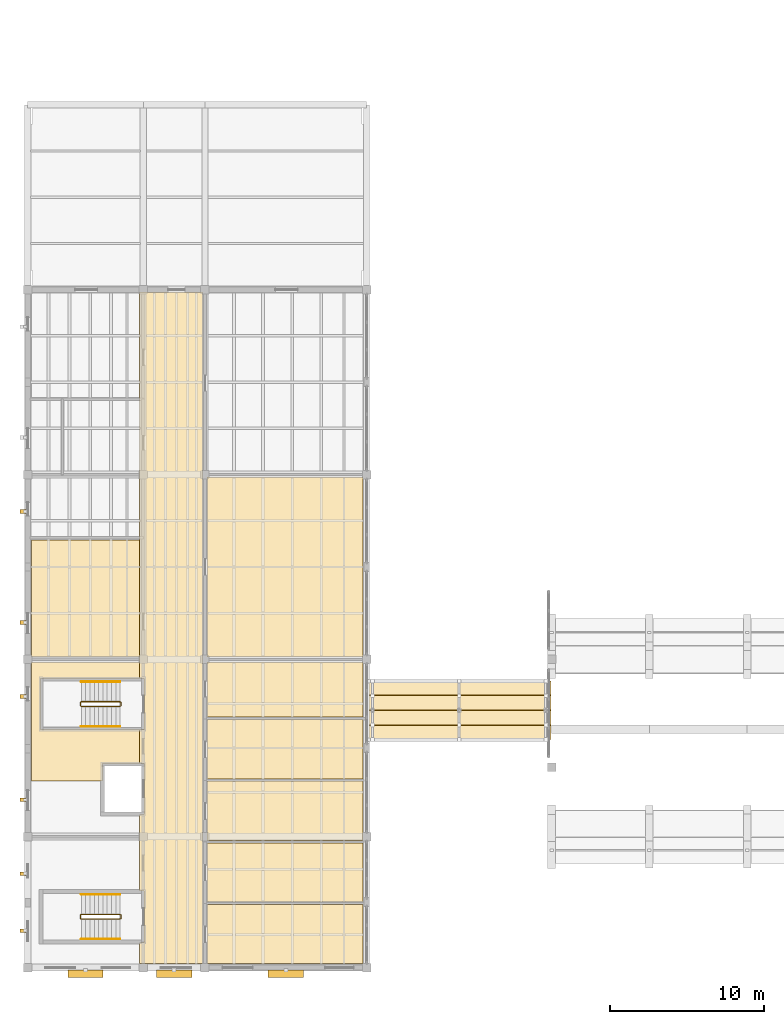
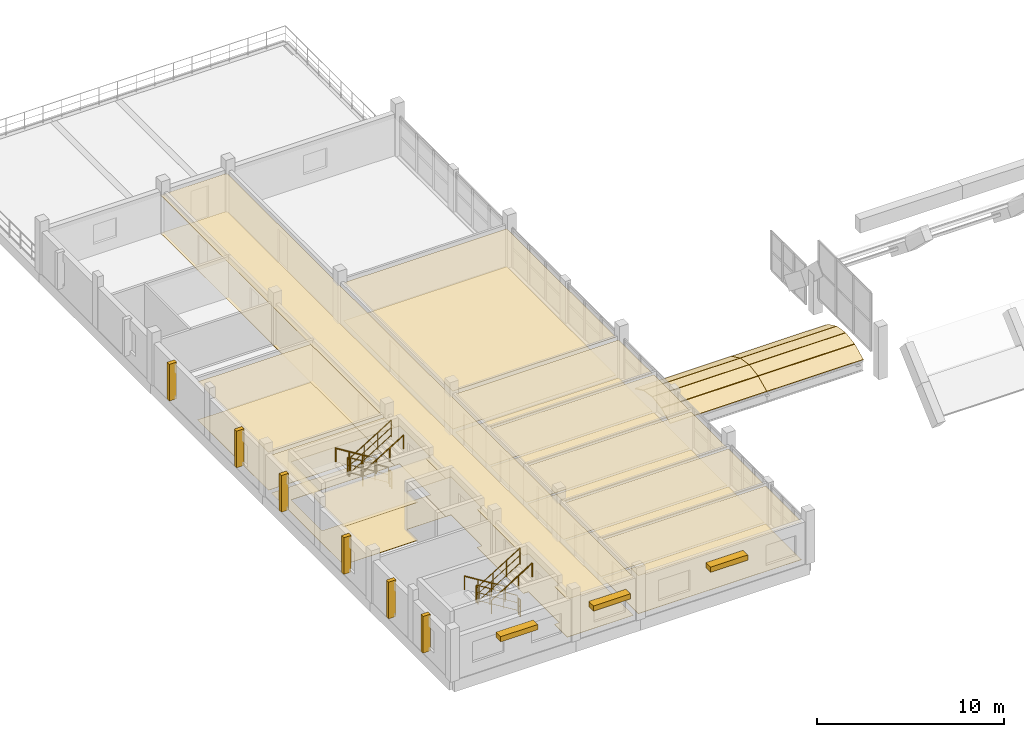
# One storey, part 43 of 48: 26 coverings, 12 railings, 9 shading devices.
"""IFC4 building model written with IfcOpenShell, lengths in metres."""

from ifc_helpers import new_model, si_unit, direction, frame, origin, origin_2d, place, context, subcontext, project, spatial, polyline, rectangle, circle, outline, extrude, material, layer, layer_set, type_object, element, save


model = new_model("IFC4")

# Units and contexts
model_context = context("Model", 3, precision=1e-05, world=origin(), true_north=direction((0.0, 1.0)))
body_context = subcontext(model_context, "Body", "Model", "MODEL_VIEW")
ifc_project = project(units=[si_unit("LENGTHUNIT", "METRE"), si_unit("AREAUNIT", "SQUARE_METRE"), si_unit("VOLUMEUNIT", "CUBIC_METRE"), si_unit("PLANEANGLEUNIT", "RADIAN"), si_unit("MASSUNIT", "GRAM", prefix="KILO")], contexts=[model_context])

# Site, building, storey
site_placement = place(None, origin())
site = spatial("IfcSite", under=ifc_project, at=site_placement, CompositionType="ELEMENT")
building_placement = place(site_placement, origin())
building = spatial("IfcBuilding", under=site, at=building_placement, Name="Trellovar Central Fire Station", CompositionType="ELEMENT")
storey_placement = place(building_placement, frame((0.0, 0.0, 9.300048828125)))
storey = spatial("IfcBuildingStorey", under=building, at=storey_placement, Name="L03", CompositionType="ELEMENT", Elevation=9.300048828125)

# Coverings
ifc_material_1 = material(Name="Perforated acoustic mineral fiber ceiling tile", Category="mineral")
ifc_layer_1 = layer(ifc_material_1, 0.02490234375)
ifc_layer_set_1 = layer_set([ifc_layer_1], Name="Perforated acoustic mineral fiber ceiling tile")
covering_type_1 = type_object("IfcCoveringType", Name="COV-CLG1", PredefinedType="CEILING", material=ifc_layer_set_1)
covering_1_placement = place(storey_placement, frame((0.0, 0.0, 2.47998046875)))
element("IfcCovering", 1, at=covering_1_placement, inside=storey, type_object=covering_type_1, Name="Dormitory Acoustic Corridor suspended ceiling", PredefinedType="CEILING", context=body_context, shape_type="SweptSolid", body=[
    extrude(outline(polyline([(8.56005859375, 18.93994140625), (8.56005859375, 22.260009765625), (8.25, 22.260009765625), (8.25, 24.43994140625), (8.56005859375, 24.43994140625), (8.56005859375, 27.760009765625), (8.25, 27.760009765625), (8.25, 52.85009765625), (12.35009765625, 52.85009765625), (12.35009765625, 9.25), (8.25, 9.25), (8.25, 10.639892578125), (8.56005859375, 10.639892578125), (8.56005859375, 13.9599609375), (8.25, 13.9599609375), (8.25, 18.93994140625), (8.56005859375, 18.93994140625)])), origin(), (0.0, 0.0, 1.0), 0.02490234375),
])
covering_2_placement = place(storey_placement, frame((0.0, 0.0, 2.47998046875)))
element("IfcCovering", 2, at=covering_2_placement, inside=storey, type_object=covering_type_1, Name="Firefighter Bunk Quarters Alpha suspended ceiling", PredefinedType="CEILING", context=body_context, shape_type="SweptSolid", body=[
    extrude(outline(polyline([(22.75, 13.10009765625), (22.75, 9.25), (12.64990234375, 9.25), (12.64990234375, 13.10009765625), (22.75, 13.10009765625)])), origin(), (0.0, 0.0, 1.0), 0.02490234375),
])
covering_3_placement = place(storey_placement, frame((0.0, 0.0, 2.47998046875)))
element("IfcCovering", 3, at=covering_3_placement, inside=storey, type_object=covering_type_1, Name="Firefighter Bunk Quarters Bravo suspended ceiling", PredefinedType="CEILING", context=body_context, shape_type="SweptSolid", body=[
    extrude(outline(polyline([(22.75, 17.10009765625), (22.75, 13.25), (12.64990234375, 13.25), (12.64990234375, 17.10009765625), (22.75, 17.10009765625)])), origin(), (0.0, 0.0, 1.0), 0.02490234375),
])
covering_4_placement = place(storey_placement, frame((0.0, 0.0, 2.47998046875)))
element("IfcCovering", 4, at=covering_4_placement, inside=storey, type_object=covering_type_1, Name="Firefighter Bunk Quarters Charlie suspended ceiling", PredefinedType="CEILING", context=body_context, shape_type="SweptSolid", body=[
    extrude(outline(polyline([(22.75, 21.10009765625), (22.75, 17.25), (12.64990234375, 17.25), (12.64990234375, 21.10009765625), (22.75, 21.10009765625)])), origin(), (0.0, 0.0, 1.0), 0.02490234375),
])
covering_5_placement = place(storey_placement, frame((0.0, 0.0, 2.47998046875)))
element("IfcCovering", 5, at=covering_5_placement, inside=storey, type_object=covering_type_1, Name="Firefighter Bunk Quarters Delta suspended ceiling", PredefinedType="CEILING", context=body_context, shape_type="SweptSolid", body=[
    extrude(outline(polyline([(22.75, 25.10009765625), (22.75, 21.25), (12.64990234375, 21.25), (12.64990234375, 25.10009765625), (22.75, 25.10009765625)])), origin(), (0.0, 0.0, 1.0), 0.02490234375),
])
covering_6_placement = place(storey_placement, frame((0.0, 0.0, 2.47998046875)))
element("IfcCovering", 6, at=covering_6_placement, inside=storey, type_object=covering_type_1, Name="Firefighter Bunk Quarters Echo suspended ceiling", PredefinedType="CEILING", context=body_context, shape_type="SweptSolid", body=[
    extrude(outline(polyline([(22.75, 28.85009765625), (22.75, 25.25), (12.64990234375, 25.25), (12.64990234375, 28.85009765625), (22.75, 28.85009765625)])), origin(), (0.0, 0.0, 1.0), 0.02490234375),
])
covering_7_placement = place(storey_placement, frame((0.0, 0.0, 2.47998046875)))
element("IfcCovering", 7, at=covering_7_placement, inside=storey, type_object=covering_type_1, Name="Battalion Chief Sleeping Quarters suspended ceiling", PredefinedType="CEILING", context=body_context, shape_type="SweptSolid", body=[
    extrude(outline(polyline([(8.25, 24.43994140625), (8.25, 22.260009765625), (5.840087890625, 22.260009765625), (5.840087890625, 21.10009765625), (1.25, 21.10009765625), (1.25, 28.85009765625), (8.25, 28.85009765625), (8.25, 27.760009765625), (1.840087890625, 27.760009765625), (1.840087890625, 24.43994140625), (8.25, 24.43994140625)])), origin(), (0.0, 0.0, 1.0), 0.02490234375),
])
covering_8_placement = place(storey_placement, frame((0.0, 0.0, 2.47998046875)))
element("IfcCovering", 8, at=covering_8_placement, inside=storey, type_object=covering_type_1, Name="Captain Sleeping Quarters suspended ceiling", PredefinedType="CEILING", context=body_context, shape_type="SweptSolid", body=[
    extrude(outline(polyline([(8.25, 36.75), (8.25, 29.14990234375), (1.25, 29.14990234375), (1.25, 36.75), (8.25, 36.75)])), origin(), (0.0, 0.0, 1.0), 0.02490234375),
])
covering_9_placement = place(storey_placement, frame((0.0, 0.0, 2.47998046875)))
element("IfcCovering", 9, at=covering_9_placement, inside=storey, type_object=covering_type_1, Name="Paramedic Crew Bunk Quarters suspended ceiling", PredefinedType="CEILING", context=body_context, shape_type="SweptSolid", body=[
    extrude(outline(polyline([(22.75, 40.85009765625), (22.75, 29.14990234375), (12.64990234375, 29.14990234375), (12.64990234375, 40.85009765625), (22.75, 40.85009765625)])), origin(), (0.0, 0.0, 1.0), 0.02490234375),
])
ifc_material_2 = material(Name="Vitrified Catalan ceramic floor tile", Category="masonry")
ifc_layer_2 = layer(ifc_material_2, 0.01806640625)
ifc_layer_set_2 = layer_set([ifc_layer_2], Name="Vitrified Catalan ceramic floor tile")
covering_type_2 = type_object("IfcCoveringType", Name="COV-FLR2", PredefinedType="FLOORING", material=ifc_layer_set_2)
covering_10_placement = place(storey_placement, origin())
element("IfcCovering", 10, at=covering_10_placement, inside=storey, type_object=covering_type_2, Name="Dormitory Acoustic Corridor floor finish", PredefinedType="FLOORING", context=body_context, shape_type="SweptSolid", body=[
    extrude(outline(polyline([(8.56005859375, 18.93994140625), (8.56005859375, 22.260009765625), (8.25, 22.260009765625), (8.25, 24.43994140625), (8.56005859375, 24.43994140625), (8.56005859375, 27.760009765625), (8.25, 27.760009765625), (8.25, 52.85009765625), (12.35009765625, 52.85009765625), (12.35009765625, 9.25), (8.25, 9.25), (8.25, 10.639892578125), (8.56005859375, 10.639892578125), (8.56005859375, 13.9599609375), (8.25, 13.9599609375), (8.25, 18.93994140625), (8.56005859375, 18.93994140625)])), origin(), (0.0, 0.0, 1.0), 0.01806640625),
])
covering_11_placement = place(storey_placement, origin())
element("IfcCovering", 11, at=covering_11_placement, inside=storey, type_object=covering_type_2, Name="Firefighter Bunk Quarters Alpha floor finish", PredefinedType="FLOORING", context=body_context, shape_type="SweptSolid", body=[
    extrude(outline(polyline([(22.75, 13.10009765625), (22.75, 9.25), (12.64990234375, 9.25), (12.64990234375, 13.10009765625), (22.75, 13.10009765625)])), origin(), (0.0, 0.0, 1.0), 0.01806640625),
])
covering_12_placement = place(storey_placement, origin())
element("IfcCovering", 12, at=covering_12_placement, inside=storey, type_object=covering_type_2, Name="Firefighter Bunk Quarters Bravo floor finish", PredefinedType="FLOORING", context=body_context, shape_type="SweptSolid", body=[
    extrude(outline(polyline([(22.75, 17.10009765625), (22.75, 13.25), (12.64990234375, 13.25), (12.64990234375, 17.10009765625), (22.75, 17.10009765625)])), origin(), (0.0, 0.0, 1.0), 0.01806640625),
])
covering_13_placement = place(storey_placement, origin())
element("IfcCovering", 13, at=covering_13_placement, inside=storey, type_object=covering_type_2, Name="Firefighter Bunk Quarters Charlie floor finish", PredefinedType="FLOORING", context=body_context, shape_type="SweptSolid", body=[
    extrude(outline(polyline([(22.75, 21.10009765625), (22.75, 17.25), (12.64990234375, 17.25), (12.64990234375, 21.10009765625), (22.75, 21.10009765625)])), origin(), (0.0, 0.0, 1.0), 0.01806640625),
])
covering_14_placement = place(storey_placement, origin())
element("IfcCovering", 14, at=covering_14_placement, inside=storey, type_object=covering_type_2, Name="Firefighter Bunk Quarters Delta floor finish", PredefinedType="FLOORING", context=body_context, shape_type="SweptSolid", body=[
    extrude(outline(polyline([(22.75, 25.10009765625), (22.75, 21.25), (12.64990234375, 21.25), (12.64990234375, 25.10009765625), (22.75, 25.10009765625)])), origin(), (0.0, 0.0, 1.0), 0.01806640625),
])
covering_15_placement = place(storey_placement, origin())
element("IfcCovering", 15, at=covering_15_placement, inside=storey, type_object=covering_type_2, Name="Firefighter Bunk Quarters Echo floor finish", PredefinedType="FLOORING", context=body_context, shape_type="SweptSolid", body=[
    extrude(outline(polyline([(22.75, 28.85009765625), (22.75, 25.25), (12.64990234375, 25.25), (12.64990234375, 28.85009765625), (22.75, 28.85009765625)])), origin(), (0.0, 0.0, 1.0), 0.01806640625),
])
covering_16_placement = place(storey_placement, origin())
element("IfcCovering", 16, at=covering_16_placement, inside=storey, type_object=covering_type_2, Name="Battalion Chief Sleeping Quarters floor finish", PredefinedType="FLOORING", context=body_context, shape_type="SweptSolid", body=[
    extrude(outline(polyline([(8.25, 24.43994140625), (8.25, 22.260009765625), (5.840087890625, 22.260009765625), (5.840087890625, 21.10009765625), (1.25, 21.10009765625), (1.25, 28.85009765625), (8.25, 28.85009765625), (8.25, 27.760009765625), (1.840087890625, 27.760009765625), (1.840087890625, 24.43994140625), (8.25, 24.43994140625)])), origin(), (0.0, 0.0, 1.0), 0.01806640625),
])
covering_17_placement = place(storey_placement, origin())
element("IfcCovering", 17, at=covering_17_placement, inside=storey, type_object=covering_type_2, Name="Captain Sleeping Quarters floor finish", PredefinedType="FLOORING", context=body_context, shape_type="SweptSolid", body=[
    extrude(outline(polyline([(8.25, 36.75), (8.25, 29.14990234375), (1.25, 29.14990234375), (1.25, 36.75), (8.25, 36.75)])), origin(), (0.0, 0.0, 1.0), 0.01806640625),
])
covering_18_placement = place(storey_placement, origin())
element("IfcCovering", 18, at=covering_18_placement, inside=storey, type_object=covering_type_2, Name="Paramedic Crew Bunk Quarters floor finish", PredefinedType="FLOORING", context=body_context, shape_type="SweptSolid", body=[
    extrude(outline(polyline([(22.75, 40.85009765625), (22.75, 29.14990234375), (12.64990234375, 29.14990234375), (12.64990234375, 40.85009765625), (22.75, 40.85009765625)])), origin(), (0.0, 0.0, 1.0), 0.01806640625),
])
ifc_material_3 = material(Name="Glazed ceramic trencadis roofing", Category="masonry")
ifc_layer_3 = layer(ifc_material_3, 0.06005859375)
ifc_layer_set_3 = layer_set([ifc_layer_3], Name="Glazed ceramic trencadis roofing")
covering_type_3 = type_object("IfcCoveringType", Name="COV-RF1", PredefinedType="ROOFING", material=ifc_layer_set_3)
covering_19_placement = place(storey_placement, frame((23.02001953125, 23.802001953125, 0.0107421875), z_axis=(0.0, -0.428127561928, 0.903718313811), x_axis=(1.0, 0.0, 0.0)))
element("IfcCovering", 19, at=covering_19_placement, inside=storey, type_object=covering_type_3, Name="Cloister skybridge trencadis vault covering 1-1", PredefinedType="ROOFING", context=body_context, shape_type="SweptSolid", body=[
    extrude(outline(polyline([(0.0, 0.0), (5.97998046875, 0.0), (5.97998046875, 1.0184701827810725), (0.0, 1.0184701827810725), (0.0, 0.0)])), origin(), (0.0, 0.0, -1.0), 0.06005859375),
])
covering_20_placement = place(storey_placement, frame((23.02001953125, 24.751953125, 0.460205078125), z_axis=(0.0, -0.156002231394, 0.987756702736), x_axis=(1.0, 0.0, 0.0)))
element("IfcCovering", 20, at=covering_20_placement, inside=storey, type_object=covering_type_3, Name="Cloister skybridge trencadis vault covering 1-2", PredefinedType="ROOFING", context=body_context, shape_type="SweptSolid", body=[
    extrude(outline(polyline([(0.0, 0.0), (5.97998046875, 0.0), (5.97998046875, 0.9483788624568312), (0.0, 0.9483788624568312), (0.0, 0.0)])), origin(), (0.0, 0.0, -1.0), 0.06005859375),
])
covering_21_placement = place(storey_placement, frame((23.02001953125, 25.71142578125, 0.608154296875), z_axis=(0.0, 0.156041909236, 0.987750435364), x_axis=(1.0, 0.0, 0.0)))
element("IfcCovering", 21, at=covering_21_placement, inside=storey, type_object=covering_type_3, Name="Cloister skybridge trencadis vault covering 1-3", PredefinedType="ROOFING", context=body_context, shape_type="SweptSolid", body=[
    extrude(outline(polyline([(0.0, 0.0), (5.97998046875, 0.0), (5.97998046875, 0.9481377116830401), (0.0, 0.9481377116830401), (0.0, 0.0)])), origin(), (0.0, 0.0, -1.0), 0.06005859375),
])
covering_22_placement = place(storey_placement, frame((23.02001953125, 26.677734375, 0.44677734375), z_axis=(0.0, 0.428220326369, 0.90367436175), x_axis=(1.0, 0.0, 0.0)))
element("IfcCovering", 22, at=covering_22_placement, inside=storey, type_object=covering_type_3, Name="Cloister skybridge trencadis vault covering 1-4", PredefinedType="ROOFING", context=body_context, shape_type="SweptSolid", body=[
    extrude(outline(polyline([(0.0, 0.0), (5.97998046875, 0.0), (5.97998046875, 1.0182495537917755), (0.0, 1.0182495537917755), (0.0, 0.0)])), origin(), (0.0, 0.0, -1.0), 0.06005859375),
])
covering_23_placement = place(storey_placement, frame((29.0, 23.802001953125, 0.0107421875), z_axis=(0.0, -0.428127561928, 0.903718313811), x_axis=(1.0, 0.0, 0.0)))
element("IfcCovering", 23, at=covering_23_placement, inside=storey, type_object=covering_type_3, Name="Cloister skybridge trencadis vault covering 2-1", PredefinedType="ROOFING", context=body_context, shape_type="SweptSolid", body=[
    extrude(outline(polyline([(0.0, 0.0), (5.97998046875, 0.0), (5.97998046875, 1.0184701827810725), (0.0, 1.0184701827810725), (0.0, 0.0)])), origin(), (0.0, 0.0, -1.0), 0.06005859375),
])
covering_24_placement = place(storey_placement, frame((29.0, 24.751953125, 0.460205078125), z_axis=(0.0, -0.156002231394, 0.987756702736), x_axis=(1.0, 0.0, 0.0)))
element("IfcCovering", 24, at=covering_24_placement, inside=storey, type_object=covering_type_3, Name="Cloister skybridge trencadis vault covering 2-2", PredefinedType="ROOFING", context=body_context, shape_type="SweptSolid", body=[
    extrude(outline(polyline([(0.0, 0.0), (5.97998046875, 0.0), (5.97998046875, 0.9483788624568312), (0.0, 0.9483788624568312), (0.0, 0.0)])), origin(), (0.0, 0.0, -1.0), 0.06005859375),
])
covering_25_placement = place(storey_placement, frame((29.0, 25.71142578125, 0.608154296875), z_axis=(0.0, 0.156041909236, 0.987750435364), x_axis=(1.0, 0.0, 0.0)))
element("IfcCovering", 25, at=covering_25_placement, inside=storey, type_object=covering_type_3, Name="Cloister skybridge trencadis vault covering 2-3", PredefinedType="ROOFING", context=body_context, shape_type="SweptSolid", body=[
    extrude(outline(polyline([(0.0, 0.0), (5.97998046875, 0.0), (5.97998046875, 0.9481377116830401), (0.0, 0.9481377116830401), (0.0, 0.0)])), origin(), (0.0, 0.0, -1.0), 0.06005859375),
])
covering_26_placement = place(storey_placement, frame((29.0, 26.677734375, 0.44677734375), z_axis=(0.0, 0.428220326369, 0.90367436175), x_axis=(1.0, 0.0, 0.0)))
element("IfcCovering", 26, at=covering_26_placement, inside=storey, type_object=covering_type_3, Name="Cloister skybridge trencadis vault covering 2-4", PredefinedType="ROOFING", context=body_context, shape_type="SweptSolid", body=[
    extrude(outline(polyline([(0.0, 0.0), (5.97998046875, 0.0), (5.97998046875, 1.0182495537917755), (0.0, 1.0182495537917755), (0.0, 0.0)])), origin(), (0.0, 0.0, -1.0), 0.06005859375),
])

# Railings
ifc_material_4 = material(Name="Patina bronze wrought metalwork", Category="metal")
ifc_layer_4 = layer(ifc_material_4, 0.048095703125)
ifc_layer_set_4 = layer_set([ifc_layer_4], Name="Patina bronze wrought metalwork")
railing_type_1 = type_object("IfcRailingType", Name="RL-STAIR", PredefinedType="HANDRAIL", material=ifc_layer_set_4)
railing_1_placement = place(storey_placement, frame((7.0, 13.75, 0.17236328125)))
element("IfcRailing", 27, at=railing_1_placement, inside=storey, type_object=railing_type_1, Name="L03 ST-03 stair handrail 1", PredefinedType="HANDRAIL", context=body_context, shape_type="SweptSolid", body=[
    extrude(circle(Radius=0.02392578125, at=origin_2d()), frame((0.0, 0.0, 0.8759765625), z_axis=(-0.851400495292, 0.0, 0.524516154772), x_axis=(0.0, -1.0, 0.0)), (0.0, 0.0, 1.0), 2.9599609375),
    extrude(circle(Radius=0.02099609375, at=origin_2d()), origin(), (0.0, 0.0, 1.0), 0.851806640625),
    extrude(circle(Radius=0.02099609375, at=origin_2d()), frame((-0.840087890625, 0.0, 0.517578125)), (0.0, 0.0, 1.0), 0.851806640625),
    extrude(circle(Radius=0.02099609375, at=origin_2d()), frame((-1.679931640625, 0.0, 1.034912109375)), (0.0, 0.0, 1.0), 0.851806640625),
    extrude(circle(Radius=0.02099609375, at=origin_2d()), frame((-2.52001953125, 0.0, 1.552490234375)), (0.0, 0.0, 1.0), 0.851806640625),
])
railing_2_placement = place(storey_placement, frame((4.47998046875, 10.85009765625, 1.8974609375)))
element("IfcRailing", 28, at=railing_2_placement, inside=storey, type_object=railing_type_1, Name="L03 ST-03 stair handrail 2", PredefinedType="HANDRAIL", context=body_context, shape_type="SweptSolid", body=[
    extrude(circle(Radius=0.02392578125, at=origin_2d()), frame((0.0, 0.0, 0.8759765625), z_axis=(0.851400495292, 0.0, 0.524516154772), x_axis=(0.0, 1.0, 0.0)), (0.0, 0.0, 1.0), 2.9599609375),
    extrude(circle(Radius=0.02099609375, at=origin_2d()), origin(), (0.0, 0.0, 1.0), 0.851806640625),
    extrude(circle(Radius=0.02099609375, at=origin_2d()), frame((0.840087890625, 0.0, 0.517578125)), (0.0, 0.0, 1.0), 0.851806640625),
    extrude(circle(Radius=0.02099609375, at=origin_2d()), frame((1.679931640625, 0.0, 1.034912109375)), (0.0, 0.0, 1.0), 0.851806640625),
    extrude(circle(Radius=0.02099609375, at=origin_2d()), frame((2.52001953125, 0.0, 1.552490234375)), (0.0, 0.0, 1.0), 0.851806640625),
])
railing_3_placement = place(storey_placement, frame((7.0, 27.550048828125, 0.17236328125)))
element("IfcRailing", 29, at=railing_3_placement, inside=storey, type_object=railing_type_1, Name="L03 ST-04 stair handrail 1", PredefinedType="HANDRAIL", context=body_context, shape_type="SweptSolid", body=[
    extrude(circle(Radius=0.02392578125, at=origin_2d()), frame((0.0, 0.0, 0.8759765625), z_axis=(-0.851400495292, 0.0, 0.524516154772), x_axis=(0.0, -1.0, 0.0)), (0.0, 0.0, 1.0), 2.9599609375),
    extrude(circle(Radius=0.02099609375, at=origin_2d()), origin(), (0.0, 0.0, 1.0), 0.851806640625),
    extrude(circle(Radius=0.02099609375, at=origin_2d()), frame((-0.840087890625, 0.0, 0.517578125)), (0.0, 0.0, 1.0), 0.851806640625),
    extrude(circle(Radius=0.02099609375, at=origin_2d()), frame((-1.679931640625, 0.0, 1.034912109375)), (0.0, 0.0, 1.0), 0.851806640625),
    extrude(circle(Radius=0.02099609375, at=origin_2d()), frame((-2.52001953125, 0.0, 1.552490234375)), (0.0, 0.0, 1.0), 0.851806640625),
])
railing_4_placement = place(storey_placement, frame((4.47998046875, 24.64990234375, 1.8974609375)))
element("IfcRailing", 30, at=railing_4_placement, inside=storey, type_object=railing_type_1, Name="L03 ST-04 stair handrail 2", PredefinedType="HANDRAIL", context=body_context, shape_type="SweptSolid", body=[
    extrude(circle(Radius=0.02392578125, at=origin_2d()), frame((0.0, 0.0, 0.8759765625), z_axis=(0.851400495292, 0.0, 0.524516154772), x_axis=(0.0, 1.0, 0.0)), (0.0, 0.0, 1.0), 2.9599609375),
    extrude(circle(Radius=0.02099609375, at=origin_2d()), origin(), (0.0, 0.0, 1.0), 0.851806640625),
    extrude(circle(Radius=0.02099609375, at=origin_2d()), frame((0.840087890625, 0.0, 0.517578125)), (0.0, 0.0, 1.0), 0.851806640625),
    extrude(circle(Radius=0.02099609375, at=origin_2d()), frame((1.679931640625, 0.0, 1.034912109375)), (0.0, 0.0, 1.0), 0.851806640625),
    extrude(circle(Radius=0.02099609375, at=origin_2d()), frame((2.52001953125, 0.0, 1.552490234375)), (0.0, 0.0, 1.0), 0.851806640625),
])
ifc_material_5 = material(Name="Patina bronze wrought metalwork", Category="metal")
ifc_layer_5 = layer(ifc_material_5, 0.050048828125)
ifc_layer_set_5 = layer_set([ifc_layer_5], Name="Patina bronze wrought metalwork")
railing_type_2 = type_object("IfcRailingType", Name="RL-STGUARD", PredefinedType="GUARDRAIL", material=ifc_layer_set_5)
railing_5_placement = place(storey_placement, frame((7.0, 12.449951171875, 0.17236328125)))
element("IfcRailing", 31, at=railing_5_placement, inside=storey, type_object=railing_type_2, Name="L03 ST-03 stair guard 1", PredefinedType="GUARDRAIL", context=body_context, shape_type="SweptSolid", body=[
    extrude(circle(Radius=0.02392578125, at=origin_2d()), frame((0.0, 0.0, 1.076171875), z_axis=(-0.851400495292, 0.0, 0.524516154772), x_axis=(0.0, -1.0, 0.0)), (0.0, 0.0, 1.0), 2.9599609375),
    extrude(circle(Radius=0.015625, at=origin_2d()), frame((0.0, 0.0, 0.10009765625), z_axis=(-0.851400495292, 0.0, 0.524516154772), x_axis=(0.0, -1.0, 0.0)), (0.0, 0.0, 1.0), 2.9599609375),
    extrude(circle(Radius=0.015625, at=origin_2d()), frame((0.0, 0.0, 0.60498046875), z_axis=(-0.851400495292, 0.0, 0.524516154772), x_axis=(0.0, -1.0, 0.0)), (0.0, 0.0, 1.0), 2.9599609375),
    extrude(circle(Radius=0.02099609375, at=origin_2d()), origin(), (0.0, 0.0, 1.0), 1.052001953125),
    extrude(circle(Radius=0.02099609375, at=origin_2d()), frame((-0.840087890625, 0.0, 0.517578125)), (0.0, 0.0, 1.0), 1.052001953125),
    extrude(circle(Radius=0.02099609375, at=origin_2d()), frame((-1.679931640625, 0.0, 1.034912109375)), (0.0, 0.0, 1.0), 1.052001953125),
    extrude(circle(Radius=0.02099609375, at=origin_2d()), frame((-2.52001953125, 0.0, 1.552490234375)), (0.0, 0.0, 1.0), 1.052001953125),
])
railing_6_placement = place(storey_placement, frame((4.429931640625, 12.39990234375, 1.724853515625)))
element("IfcRailing", 32, at=railing_6_placement, inside=storey, type_object=railing_type_2, Name="L03 ST-03 stair guard 2", PredefinedType="GUARDRAIL", context=body_context, shape_type="SweptSolid", body=[
    extrude(circle(Radius=0.02392578125, at=origin_2d()), frame((0.0, 0.0, 1.076171875), z_axis=(0.0, -1.0, 0.0), x_axis=(1.0, 0.0, 0.0)), (0.0, 0.0, 1.0), 0.199951171875),
    extrude(circle(Radius=0.015625, at=origin_2d()), frame((0.0, 0.0, 0.10009765625), z_axis=(0.0, -1.0, 0.0), x_axis=(1.0, 0.0, 0.0)), (0.0, 0.0, 1.0), 0.199951171875),
    extrude(circle(Radius=0.015625, at=origin_2d()), frame((0.0, 0.0, 0.60498046875), z_axis=(0.0, -1.0, 0.0), x_axis=(1.0, 0.0, 0.0)), (0.0, 0.0, 1.0), 0.199951171875),
    extrude(circle(Radius=0.02099609375, at=origin_2d()), origin(), (0.0, 0.0, 1.0), 1.052001953125),
    extrude(circle(Radius=0.02099609375, at=origin_2d()), frame((0.0, -0.199951171875, 0.0)), (0.0, 0.0, 1.0), 1.052001953125),
])
railing_7_placement = place(storey_placement, frame((4.47998046875, 12.14990234375, 1.8974609375)))
element("IfcRailing", 33, at=railing_7_placement, inside=storey, type_object=railing_type_2, Name="L03 ST-03 stair guard 3", PredefinedType="GUARDRAIL", context=body_context, shape_type="SweptSolid", body=[
    extrude(circle(Radius=0.02392578125, at=origin_2d()), frame((0.0, 0.0, 1.076171875), z_axis=(0.851400495292, 0.0, 0.524516154772), x_axis=(0.0, 1.0, 0.0)), (0.0, 0.0, 1.0), 2.9599609375),
    extrude(circle(Radius=0.015625, at=origin_2d()), frame((0.0, 0.0, 0.10009765625), z_axis=(0.851400495292, 0.0, 0.524516154772), x_axis=(0.0, 1.0, 0.0)), (0.0, 0.0, 1.0), 2.9599609375),
    extrude(circle(Radius=0.015625, at=origin_2d()), frame((0.0, 0.0, 0.60498046875), z_axis=(0.851400495292, 0.0, 0.524516154772), x_axis=(0.0, 1.0, 0.0)), (0.0, 0.0, 1.0), 2.9599609375),
    extrude(circle(Radius=0.02099609375, at=origin_2d()), origin(), (0.0, 0.0, 1.0), 1.052001953125),
    extrude(circle(Radius=0.02099609375, at=origin_2d()), frame((0.840087890625, 0.0, 0.517578125)), (0.0, 0.0, 1.0), 1.052001953125),
    extrude(circle(Radius=0.02099609375, at=origin_2d()), frame((1.679931640625, 0.0, 1.034912109375)), (0.0, 0.0, 1.0), 1.052001953125),
    extrude(circle(Radius=0.02099609375, at=origin_2d()), frame((2.52001953125, 0.0, 1.552490234375)), (0.0, 0.0, 1.0), 1.052001953125),
])
railing_8_placement = place(storey_placement, frame((7.050048828125, 12.39990234375, 0.0)))
element("IfcRailing", 34, at=railing_8_placement, inside=storey, type_object=railing_type_2, Name="L03 ST-03 stair guard 4", PredefinedType="GUARDRAIL", context=body_context, shape_type="SweptSolid", body=[
    extrude(circle(Radius=0.02392578125, at=origin_2d()), frame((0.0, 0.0, 1.076171875), z_axis=(0.0, -1.0, 0.0), x_axis=(1.0, 0.0, 0.0)), (0.0, 0.0, 1.0), 0.199951171875),
    extrude(circle(Radius=0.015625, at=origin_2d()), frame((0.0, 0.0, 0.10009765625), z_axis=(0.0, -1.0, 0.0), x_axis=(1.0, 0.0, 0.0)), (0.0, 0.0, 1.0), 0.199951171875),
    extrude(circle(Radius=0.015625, at=origin_2d()), frame((0.0, 0.0, 0.60498046875), z_axis=(0.0, -1.0, 0.0), x_axis=(1.0, 0.0, 0.0)), (0.0, 0.0, 1.0), 0.199951171875),
    extrude(circle(Radius=0.02099609375, at=origin_2d()), origin(), (0.0, 0.0, 1.0), 1.052001953125),
    extrude(circle(Radius=0.02099609375, at=origin_2d()), frame((0.0, -0.199951171875, 0.0)), (0.0, 0.0, 1.0), 1.052001953125),
])
railing_9_placement = place(storey_placement, frame((7.0, 26.25, 0.17236328125)))
element("IfcRailing", 35, at=railing_9_placement, inside=storey, type_object=railing_type_2, Name="L03 ST-04 stair guard 1", PredefinedType="GUARDRAIL", context=body_context, shape_type="SweptSolid", body=[
    extrude(circle(Radius=0.02392578125, at=origin_2d()), frame((0.0, 0.0, 1.076171875), z_axis=(-0.851400495292, 0.0, 0.524516154772), x_axis=(0.0, -1.0, 0.0)), (0.0, 0.0, 1.0), 2.9599609375),
    extrude(circle(Radius=0.015625, at=origin_2d()), frame((0.0, 0.0, 0.10009765625), z_axis=(-0.851400495292, 0.0, 0.524516154772), x_axis=(0.0, -1.0, 0.0)), (0.0, 0.0, 1.0), 2.9599609375),
    extrude(circle(Radius=0.015625, at=origin_2d()), frame((0.0, 0.0, 0.60498046875), z_axis=(-0.851400495292, 0.0, 0.524516154772), x_axis=(0.0, -1.0, 0.0)), (0.0, 0.0, 1.0), 2.9599609375),
    extrude(circle(Radius=0.02099609375, at=origin_2d()), origin(), (0.0, 0.0, 1.0), 1.052001953125),
    extrude(circle(Radius=0.02099609375, at=origin_2d()), frame((-0.840087890625, 0.0, 0.517578125)), (0.0, 0.0, 1.0), 1.052001953125),
    extrude(circle(Radius=0.02099609375, at=origin_2d()), frame((-1.679931640625, 0.0, 1.034912109375)), (0.0, 0.0, 1.0), 1.052001953125),
    extrude(circle(Radius=0.02099609375, at=origin_2d()), frame((-2.52001953125, 0.0, 1.552490234375)), (0.0, 0.0, 1.0), 1.052001953125),
])
railing_10_placement = place(storey_placement, frame((4.429931640625, 26.199951171875, 1.724853515625)))
element("IfcRailing", 36, at=railing_10_placement, inside=storey, type_object=railing_type_2, Name="L03 ST-04 stair guard 2", PredefinedType="GUARDRAIL", context=body_context, shape_type="SweptSolid", body=[
    extrude(circle(Radius=0.02392578125, at=origin_2d()), frame((0.0, 0.0, 1.076171875), z_axis=(0.0, -1.0, 0.0), x_axis=(1.0, 0.0, 0.0)), (0.0, 0.0, 1.0), 0.199951171875),
    extrude(circle(Radius=0.015625, at=origin_2d()), frame((0.0, 0.0, 0.10009765625), z_axis=(0.0, -1.0, 0.0), x_axis=(1.0, 0.0, 0.0)), (0.0, 0.0, 1.0), 0.199951171875),
    extrude(circle(Radius=0.015625, at=origin_2d()), frame((0.0, 0.0, 0.60498046875), z_axis=(0.0, -1.0, 0.0), x_axis=(1.0, 0.0, 0.0)), (0.0, 0.0, 1.0), 0.199951171875),
    extrude(circle(Radius=0.02099609375, at=origin_2d()), origin(), (0.0, 0.0, 1.0), 1.052001953125),
    extrude(circle(Radius=0.02099609375, at=origin_2d()), frame((0.0, -0.199951171875, 0.0)), (0.0, 0.0, 1.0), 1.052001953125),
])
railing_11_placement = place(storey_placement, frame((4.47998046875, 25.949951171875, 1.8974609375)))
element("IfcRailing", 37, at=railing_11_placement, inside=storey, type_object=railing_type_2, Name="L03 ST-04 stair guard 3", PredefinedType="GUARDRAIL", context=body_context, shape_type="SweptSolid", body=[
    extrude(circle(Radius=0.02392578125, at=origin_2d()), frame((0.0, 0.0, 1.076171875), z_axis=(0.851400495292, 0.0, 0.524516154772), x_axis=(0.0, 1.0, 0.0)), (0.0, 0.0, 1.0), 2.9599609375),
    extrude(circle(Radius=0.015625, at=origin_2d()), frame((0.0, 0.0, 0.10009765625), z_axis=(0.851400495292, 0.0, 0.524516154772), x_axis=(0.0, 1.0, 0.0)), (0.0, 0.0, 1.0), 2.9599609375),
    extrude(circle(Radius=0.015625, at=origin_2d()), frame((0.0, 0.0, 0.60498046875), z_axis=(0.851400495292, 0.0, 0.524516154772), x_axis=(0.0, 1.0, 0.0)), (0.0, 0.0, 1.0), 2.9599609375),
    extrude(circle(Radius=0.02099609375, at=origin_2d()), origin(), (0.0, 0.0, 1.0), 1.052001953125),
    extrude(circle(Radius=0.02099609375, at=origin_2d()), frame((0.840087890625, 0.0, 0.517578125)), (0.0, 0.0, 1.0), 1.052001953125),
    extrude(circle(Radius=0.02099609375, at=origin_2d()), frame((1.679931640625, 0.0, 1.034912109375)), (0.0, 0.0, 1.0), 1.052001953125),
    extrude(circle(Radius=0.02099609375, at=origin_2d()), frame((2.52001953125, 0.0, 1.552490234375)), (0.0, 0.0, 1.0), 1.052001953125),
])
railing_12_placement = place(storey_placement, frame((7.050048828125, 26.199951171875, 0.0)))
element("IfcRailing", 38, at=railing_12_placement, inside=storey, type_object=railing_type_2, Name="L03 ST-04 stair guard 4", PredefinedType="GUARDRAIL", context=body_context, shape_type="SweptSolid", body=[
    extrude(circle(Radius=0.02392578125, at=origin_2d()), frame((0.0, 0.0, 1.076171875), z_axis=(0.0, -1.0, 0.0), x_axis=(1.0, 0.0, 0.0)), (0.0, 0.0, 1.0), 0.199951171875),
    extrude(circle(Radius=0.015625, at=origin_2d()), frame((0.0, 0.0, 0.10009765625), z_axis=(0.0, -1.0, 0.0), x_axis=(1.0, 0.0, 0.0)), (0.0, 0.0, 1.0), 0.199951171875),
    extrude(circle(Radius=0.015625, at=origin_2d()), frame((0.0, 0.0, 0.60498046875), z_axis=(0.0, -1.0, 0.0), x_axis=(1.0, 0.0, 0.0)), (0.0, 0.0, 1.0), 0.199951171875),
    extrude(circle(Radius=0.02099609375, at=origin_2d()), origin(), (0.0, 0.0, 1.0), 1.052001953125),
    extrude(circle(Radius=0.02099609375, at=origin_2d()), frame((0.0, -0.199951171875, 0.0)), (0.0, 0.0, 1.0), 1.052001953125),
])

# Shading devices
ifc_material_6 = material(Name="Glazed ceramic trencadis and terracotta panel", Category="masonry")
shading_device_type_1 = type_object("IfcShadingDeviceType", Name="SHD-LV1", PredefinedType="JALOUSIE", material=ifc_material_6)
for number, where, z_axis, x_axis, name in (
    (39, (4.75, 8.594970703125, 1.8798828125), (0.0, 0.0, 1.0), (1.0, 0.0, 0.0), "L03 Catalan solar brise-soleil LV-1"),
    (40, (10.5, 8.594970703125, 1.8798828125), (0.0, 0.0, 1.0), (1.0, 0.0, 0.0), "L03 Catalan solar brise-soleil LV-1"),
    (41, (17.75, 8.594970703125, 1.8798828125), (0.0, 0.0, 1.0), (1.0, 0.0, 0.0), "L03 Catalan solar brise-soleil LV-1"),
):
    element("IfcShadingDevice", number, at=place(storey_placement, frame(where, z_axis=z_axis, x_axis=x_axis)), inside=storey, type_object=shading_device_type_1, Name=name, PredefinedType="JALOUSIE", context=body_context, shape_type="SweptSolid", body=[
        extrude(rectangle(XDim=2.300048828125, YDim=0.5, at=origin_2d()), origin(), (0.0, 0.0, 1.0), 0.340087890625),
    ])
ifc_material_7 = material(Name="Patina bronze wrought metalwork", Category="metal")
shading_device_type_2 = type_object("IfcShadingDeviceType", Name="SHD-LV2", PredefinedType="SHUTTER", material=ifc_material_7)
for number, where, z_axis, x_axis, name in (
    (42, (0.72509765625, 11.39990234375, 0.449951171875), (0.0, 0.0, 1.0), (1.0, 0.0, 0.0), "L03 Catalan solar brise-soleil LV-2"),
    (43, (0.72509765625, 15.10009765625, 0.449951171875), (0.0, 0.0, 1.0), (1.0, 0.0, 0.0), "L03 Catalan solar brise-soleil LV-2"),
    (44, (0.72509765625, 19.89990234375, 0.449951171875), (0.0, 0.0, 1.0), (1.0, 0.0, 0.0), "L03 Catalan solar brise-soleil LV-2"),
    (45, (0.72509765625, 26.60009765625, 0.449951171875), (0.0, 0.0, 1.0), (1.0, 0.0, 0.0), "L03 Catalan solar brise-soleil LV-2"),
    (46, (0.72509765625, 31.39990234375, 0.449951171875), (0.0, 0.0, 1.0), (1.0, 0.0, 0.0), "L03 Catalan solar brise-soleil LV-2"),
    (47, (0.72509765625, 38.60009765625, 0.449951171875), (0.0, 0.0, 1.0), (1.0, 0.0, 0.0), "L03 Catalan solar brise-soleil LV-2"),
):
    element("IfcShadingDevice", number, at=place(storey_placement, frame(where, z_axis=z_axis, x_axis=x_axis)), inside=storey, type_object=shading_device_type_2, Name=name, PredefinedType="SHUTTER", context=body_context, shape_type="SweptSolid", body=[
        extrude(rectangle(XDim=0.449951171875, YDim=0.239990234375, at=origin_2d()), origin(), (0.0, 0.0, 1.0), 2.39990234375),
    ])

save(model, "model.ifc")
